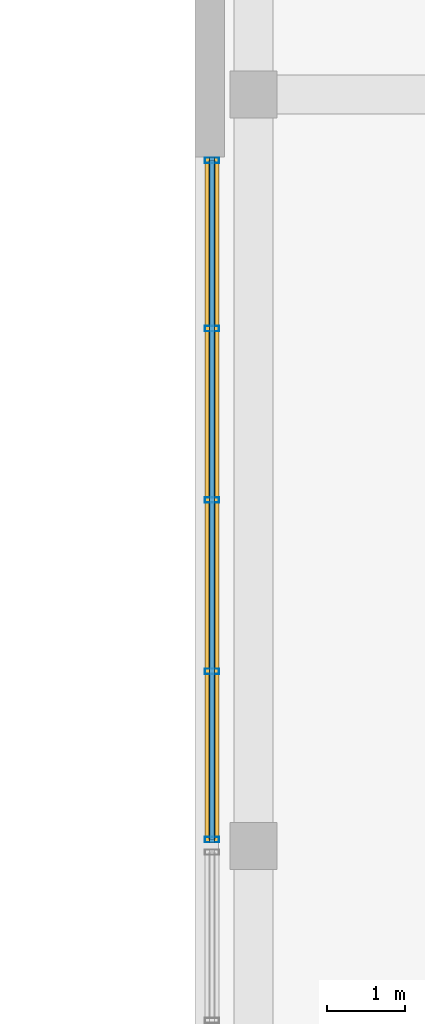
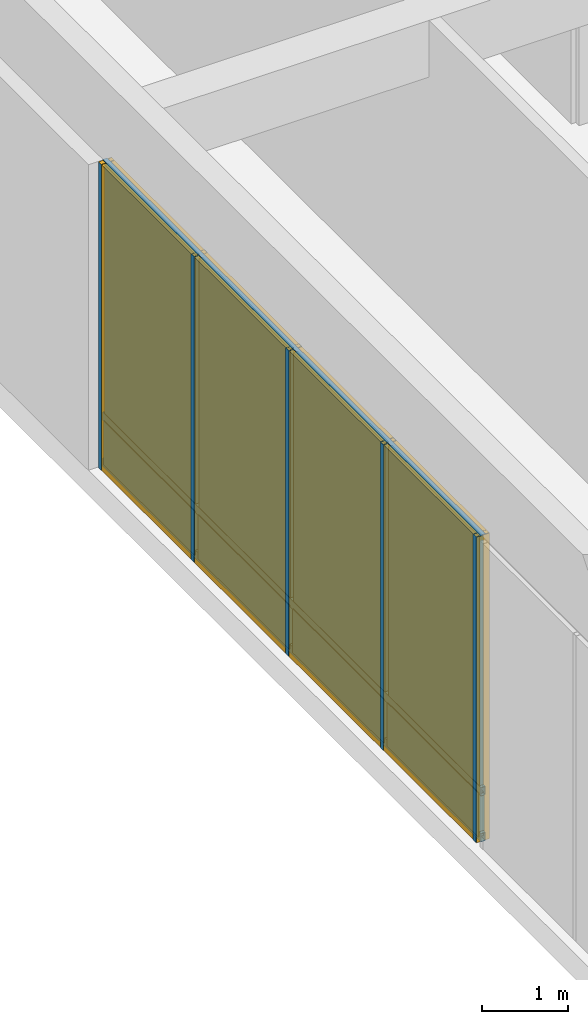
# One storey, part 16 of 21: 8 members, 8 plates, 1 curtain wall.
"""IFC4 building model written with IfcOpenShell, lengths in metres."""

from ifc_helpers import new_model, si_unit, direction, frame, frame_2d, origin, origin_2d, place, context, subcontext, project, spatial, rectangle, hollow_rectangle, extrude, material, layer, layer_set, material_profile, profile_set, type_object, element, aggregate, save


model = new_model("IFC4")

# Units and contexts
model_context = context("Model", 3, precision=1e-05, world=origin(), true_north=direction((0.0, 1.0)))
body_context = subcontext(model_context, "Body", "Model", "MODEL_VIEW")
ifc_project = project(units=[si_unit("LENGTHUNIT", "METRE"), si_unit("AREAUNIT", "SQUARE_METRE"), si_unit("VOLUMEUNIT", "CUBIC_METRE"), si_unit("PLANEANGLEUNIT", "RADIAN"), si_unit("MASSUNIT", "GRAM", prefix="KILO")], contexts=[model_context])

# Member
ifc_material_1 = material(Name="Anodized Aluminium 6063-T6", Category="aluminium")
ifc_material_profile_1 = material_profile(ifc_material_1, hollow_rectangle(XDim=0.070068359375, YDim=0.179931640625, WallThickness=0.00390625, at=origin_2d()), Name="Anodized Aluminium 6063-T6")
ifc_profile_set_1 = profile_set([ifc_material_profile_1], Name="Anodized Aluminium 6063-T6")
member_type_1 = type_object("IfcMemberType", Name="Curtain Wall Mullion 180", PredefinedType="MULLION", material=ifc_profile_set_1)
site_placement = place(None, origin())
building_placement = place(site_placement, origin())
storey_placement = place(building_placement, frame((0.0, 0.0, 19.60009765625)))
member_1_placement = place(storey_placement, frame((85.419921875, 28.8798828125, 0.0), z_axis=(0.0, 0.0, 1.0), x_axis=(0.0, 1.0, 0.0)))
member_1 = element("IfcMember", 1, at=member_1_placement, type_object=member_type_1, Name="Curtain Wall Mullion CW-L04-LREAD-2-M01", PredefinedType="MULLION", context=body_context, shape_type="SweptSolid", body=[
    extrude(hollow_rectangle(XDim=0.070068359375, YDim=0.179931640625, WallThickness=0.00390625, at=origin_2d()), origin(), (0.0, 0.0, 1.0), 4.31982421875),
])

member_2_placement = place(storey_placement, frame((85.419921875, 31.030029296875, 0.0), z_axis=(0.0, 0.0, 1.0), x_axis=(0.0, 1.0, 0.0)))
member_2 = element("IfcMember", 2, at=member_2_placement, type_object=member_type_1, Name="Curtain Wall Mullion CW-L04-LREAD-2-M02", PredefinedType="MULLION", context=body_context, shape_type="SweptSolid", body=[
    extrude(hollow_rectangle(XDim=0.070068359375, YDim=0.179931640625, WallThickness=0.00390625, at=origin_2d()), origin(), (0.0, 0.0, 1.0), 4.31982421875),
])

member_3_placement = place(storey_placement, frame((85.419921875, 33.219970703125, 0.0), z_axis=(0.0, 0.0, 1.0), x_axis=(0.0, 1.0, 0.0)))
member_3 = element("IfcMember", 3, at=member_3_placement, type_object=member_type_1, Name="Curtain Wall Mullion CW-L04-LREAD-2-M03", PredefinedType="MULLION", context=body_context, shape_type="SweptSolid", body=[
    extrude(hollow_rectangle(XDim=0.070068359375, YDim=0.179931640625, WallThickness=0.00390625, at=origin_2d()), origin(), (0.0, 0.0, 1.0), 4.31982421875),
])

member_4_placement = place(storey_placement, frame((85.419921875, 35.409912109375, 0.0), z_axis=(0.0, 0.0, 1.0), x_axis=(0.0, 1.0, 0.0)))
member_4 = element("IfcMember", 4, at=member_4_placement, type_object=member_type_1, Name="Curtain Wall Mullion CW-L04-LREAD-2-M04", PredefinedType="MULLION", context=body_context, shape_type="SweptSolid", body=[
    extrude(hollow_rectangle(XDim=0.070068359375, YDim=0.179931640625, WallThickness=0.00390625, at=origin_2d()), origin(), (0.0, 0.0, 1.0), 4.31982421875),
])

member_5_placement = place(storey_placement, frame((85.419921875, 37.56005859375, 0.0), z_axis=(0.0, 0.0, 1.0), x_axis=(0.0, 1.0, 0.0)))
member_5 = element("IfcMember", 5, at=member_5_placement, type_object=member_type_1, Name="Curtain Wall Mullion CW-L04-LREAD-2-M05", PredefinedType="MULLION", context=body_context, shape_type="SweptSolid", body=[
    extrude(hollow_rectangle(XDim=0.070068359375, YDim=0.179931640625, WallThickness=0.00390625, at=origin_2d()), origin(), (0.0, 0.0, 1.0), 4.31982421875),
])

ifc_material_profile_2 = material_profile(ifc_material_1, hollow_rectangle(XDim=0.06005859375, YDim=0.1201171875, WallThickness=0.00341796875, at=origin_2d()), Name="Anodized Aluminium 6063-T6")
ifc_profile_set_2 = profile_set([ifc_material_profile_2], Name="Anodized Aluminium 6063-T6")
member_type_2 = type_object("IfcMemberType", Name="Curtain Wall Transom 120", PredefinedType="USERDEFINED", material=ifc_profile_set_2)
member_6_placement = place(storey_placement, frame((85.419921875, 28.840087890625, 0.0498046875), z_axis=(0.0, 1.0, 0.0), x_axis=(-1.0, 0.0, 0.0)))
member_6 = element("IfcMember", 6, at=member_6_placement, type_object=member_type_2, Name="Curtain Wall Transom CW-L04-LREAD-2-T01", ObjectType="TRANSOM", PredefinedType="USERDEFINED", context=body_context, shape_type="SweptSolid", body=[
    extrude(hollow_rectangle(XDim=0.06005859375, YDim=0.1201171875, WallThickness=0.00341796875, at=origin_2d()), origin(), (0.0, 0.0, 1.0), 8.760009765625),
])

member_7_placement = place(storey_placement, frame((85.419921875, 28.840087890625, 0.699951171875), z_axis=(0.0, 1.0, 0.0), x_axis=(-1.0, 0.0, 0.0)))
member_7 = element("IfcMember", 7, at=member_7_placement, type_object=member_type_2, Name="Curtain Wall Transom CW-L04-LREAD-2-T02", ObjectType="TRANSOM", PredefinedType="USERDEFINED", context=body_context, shape_type="SweptSolid", body=[
    extrude(hollow_rectangle(XDim=0.06005859375, YDim=0.1201171875, WallThickness=0.00341796875, at=origin_2d()), origin(), (0.0, 0.0, 1.0), 8.760009765625),
])

member_8_placement = place(storey_placement, frame((85.419921875, 28.840087890625, 4.27001953125), z_axis=(0.0, 1.0, 0.0), x_axis=(-1.0, 0.0, 0.0)))
member_8 = element("IfcMember", 8, at=member_8_placement, type_object=member_type_2, Name="Curtain Wall Transom CW-L04-LREAD-2-T03", ObjectType="TRANSOM", PredefinedType="USERDEFINED", context=body_context, shape_type="SweptSolid", body=[
    extrude(hollow_rectangle(XDim=0.06005859375, YDim=0.1201171875, WallThickness=0.00341796875, at=origin_2d()), origin(), (0.0, 0.0, 1.0), 8.760009765625),
])

# Plate
ifc_material_2 = material(Name="Bird-Friendly Fritted Triple Glazing", Category="glass")
ifc_layer_1 = layer(ifc_material_2, 0.052001953125, Name="Bird-Friendly Fritted Triple Glazing")
ifc_layer_set_1 = layer_set([ifc_layer_1], Name="Bird-Friendly Fritted Triple Glazing")
plate_type_1 = type_object("IfcPlateType", Name="Plate CWGlazing 52", PredefinedType="CURTAIN_PANEL", material=ifc_layer_set_1)
plate_1_placement = place(storey_placement, frame((85.419921875, 29.93505859375, 0.739990234375), z_axis=(0.0, 0.0, 1.0), x_axis=(0.0, 1.0, 0.0)))
plate_1 = element("IfcPlate", 9, at=plate_1_placement, type_object=plate_type_1, Name="Vision Glazing Panel CW-L04-LREAD-2-GL01", PredefinedType="CURTAIN_PANEL", context=body_context, shape_type="SweptSolid", body=[
    extrude(rectangle(XDim=2.110107421875, YDim=0.052001953125, at=origin_2d()), origin(), (0.0, 0.0, 1.0), 3.5400390625),
])

plate_2_placement = place(storey_placement, frame((85.419921875, 32.125, 0.739990234375), z_axis=(0.0, 0.0, 1.0), x_axis=(0.0, 1.0, 0.0)))
plate_2 = element("IfcPlate", 10, at=plate_2_placement, type_object=plate_type_1, Name="Vision Glazing Panel CW-L04-LREAD-2-GL02", PredefinedType="CURTAIN_PANEL", context=body_context, shape_type="SweptSolid", body=[
    extrude(rectangle(XDim=2.110107421875, YDim=0.052001953125, at=origin_2d()), origin(), (0.0, 0.0, 1.0), 3.5400390625),
])

plate_3_placement = place(storey_placement, frame((85.419921875, 34.31494140625, 0.739990234375), z_axis=(0.0, 0.0, 1.0), x_axis=(0.0, 1.0, 0.0)))
plate_3 = element("IfcPlate", 11, at=plate_3_placement, type_object=plate_type_1, Name="Vision Glazing Panel CW-L04-LREAD-2-GL03", PredefinedType="CURTAIN_PANEL", context=body_context, shape_type="SweptSolid", body=[
    extrude(rectangle(XDim=2.110107421875, YDim=0.052001953125, at=origin_2d()), origin(), (0.0, 0.0, 1.0), 3.5400390625),
])

plate_4_placement = place(storey_placement, frame((85.419921875, 36.5048828125, 0.739990234375), z_axis=(0.0, 0.0, 1.0), x_axis=(0.0, 1.0, 0.0)))
plate_4 = element("IfcPlate", 12, at=plate_4_placement, type_object=plate_type_1, Name="Vision Glazing Panel CW-L04-LREAD-2-GL04", PredefinedType="CURTAIN_PANEL", context=body_context, shape_type="SweptSolid", body=[
    extrude(rectangle(XDim=2.110107421875, YDim=0.052001953125, at=origin_2d()), origin(), (0.0, 0.0, 1.0), 3.5400390625),
])

ifc_material_3 = material(Name="Insulated Aluminium Spandrel Panel", Category="aluminium")
ifc_layer_2 = layer(ifc_material_3, 0.080078125, Name="Insulated Aluminium Spandrel Panel")
ifc_layer_set_2 = layer_set([ifc_layer_2], Name="Insulated Aluminium Spandrel Panel")
plate_type_2 = type_object("IfcPlateType", Name="Plate CWSpandrel 80", PredefinedType="SHEET", material=ifc_layer_set_2)
plate_5_placement = place(storey_placement, frame((85.419921875, 29.93505859375, 0.039794921875), z_axis=(0.0, 0.0, 1.0), x_axis=(0.0, 1.0, 0.0)))
plate_5 = element("IfcPlate", 13, at=plate_5_placement, type_object=plate_type_2, Name="Spandrel Panel CW-L04-LREAD-2-SP01", PredefinedType="SHEET", context=body_context, shape_type="SweptSolid", body=[
    extrude(rectangle(XDim=2.110107421875, YDim=0.080078125, at=origin_2d()), origin(), (0.0, 0.0, 1.0), 0.6201171875),
])

plate_6_placement = place(storey_placement, frame((85.419921875, 32.125, 0.039794921875), z_axis=(0.0, 0.0, 1.0), x_axis=(0.0, 1.0, 0.0)))
plate_6 = element("IfcPlate", 14, at=plate_6_placement, type_object=plate_type_2, Name="Spandrel Panel CW-L04-LREAD-2-SP02", PredefinedType="SHEET", context=body_context, shape_type="SweptSolid", body=[
    extrude(rectangle(XDim=2.110107421875, YDim=0.080078125, at=origin_2d()), origin(), (0.0, 0.0, 1.0), 0.6201171875),
])

plate_7_placement = place(storey_placement, frame((85.419921875, 34.31494140625, 0.039794921875), z_axis=(0.0, 0.0, 1.0), x_axis=(0.0, 1.0, 0.0)))
plate_7 = element("IfcPlate", 15, at=plate_7_placement, type_object=plate_type_2, Name="Spandrel Panel CW-L04-LREAD-2-SP03", PredefinedType="SHEET", context=body_context, shape_type="SweptSolid", body=[
    extrude(rectangle(XDim=2.110107421875, YDim=0.080078125, at=origin_2d()), origin(), (0.0, 0.0, 1.0), 0.6201171875),
])

plate_8_placement = place(storey_placement, frame((85.419921875, 36.5048828125, 0.039794921875), z_axis=(0.0, 0.0, 1.0), x_axis=(0.0, 1.0, 0.0)))
plate_8 = element("IfcPlate", 16, at=plate_8_placement, type_object=plate_type_2, Name="Spandrel Panel CW-L04-LREAD-2-SP04", PredefinedType="SHEET", context=body_context, shape_type="SweptSolid", body=[
    extrude(rectangle(XDim=2.110107421875, YDim=0.080078125, at=origin_2d()), origin(), (0.0, 0.0, 1.0), 0.6201171875),
])

# Site, building, storey
site = spatial("IfcSite", under=ifc_project, at=site_placement, CompositionType="ELEMENT")
building = spatial("IfcBuilding", under=site, at=building_placement, Name="Norrvale University Quadrangle", CompositionType="ELEMENT")
storey = spatial("IfcBuildingStorey", under=building, at=storey_placement, Name="L04", CompositionType="ELEMENT", Elevation=19.60009765625)

# Curtain wall
ifc_material_4 = material(Name="Anodized Aluminium and Triple Glazing", Category="glass")
curtain_wall_type = type_object("IfcCurtainWallType", Name="Curtain Wall System 4 Lib Reading", PredefinedType="NOTDEFINED", material=ifc_material_4)
curtain_wall_placement = place(storey_placement, frame((85.419921875, 28.840087890625, 0.0), z_axis=(0.0, 0.0, 1.0), x_axis=(0.0, 1.0, 0.0)))
curtain_wall = element("IfcCurtainWall", 17, at=curtain_wall_placement, inside=storey, type_object=curtain_wall_type, Name="Curtain Wall CW System 4 Lib Reading CW-L04-LREAD-2", PredefinedType="NOTDEFINED", context=body_context, shape_type="SweptSolid", body=[
    extrude(rectangle(XDim=8.760009765625, YDim=0.175048828125, at=frame_2d((4.3798828125, 0.0))), origin(), (0.0, 0.0, 1.0), 4.31982421875),
])

aggregate(curtain_wall, [member_1, member_2, member_3, member_4, member_5, member_6, member_7, member_8, plate_5, plate_1, plate_6, plate_2, plate_7, plate_3, plate_8, plate_4])

save(model, "model.ifc")
